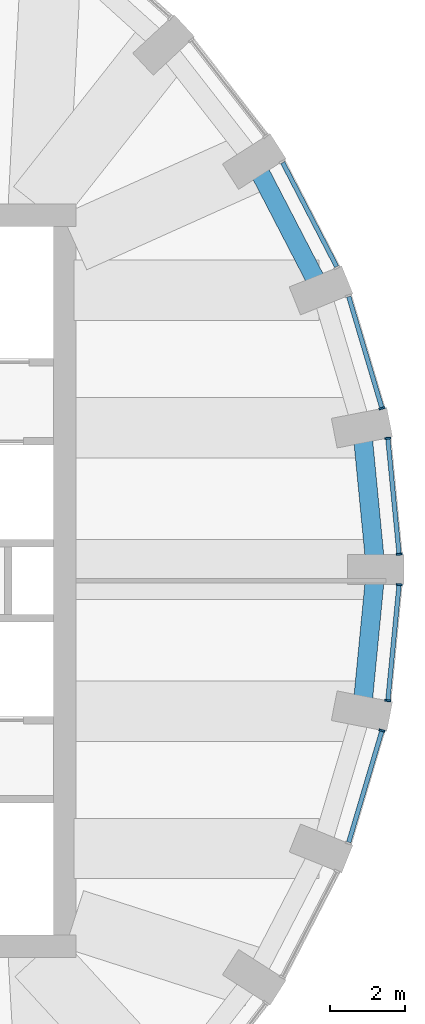
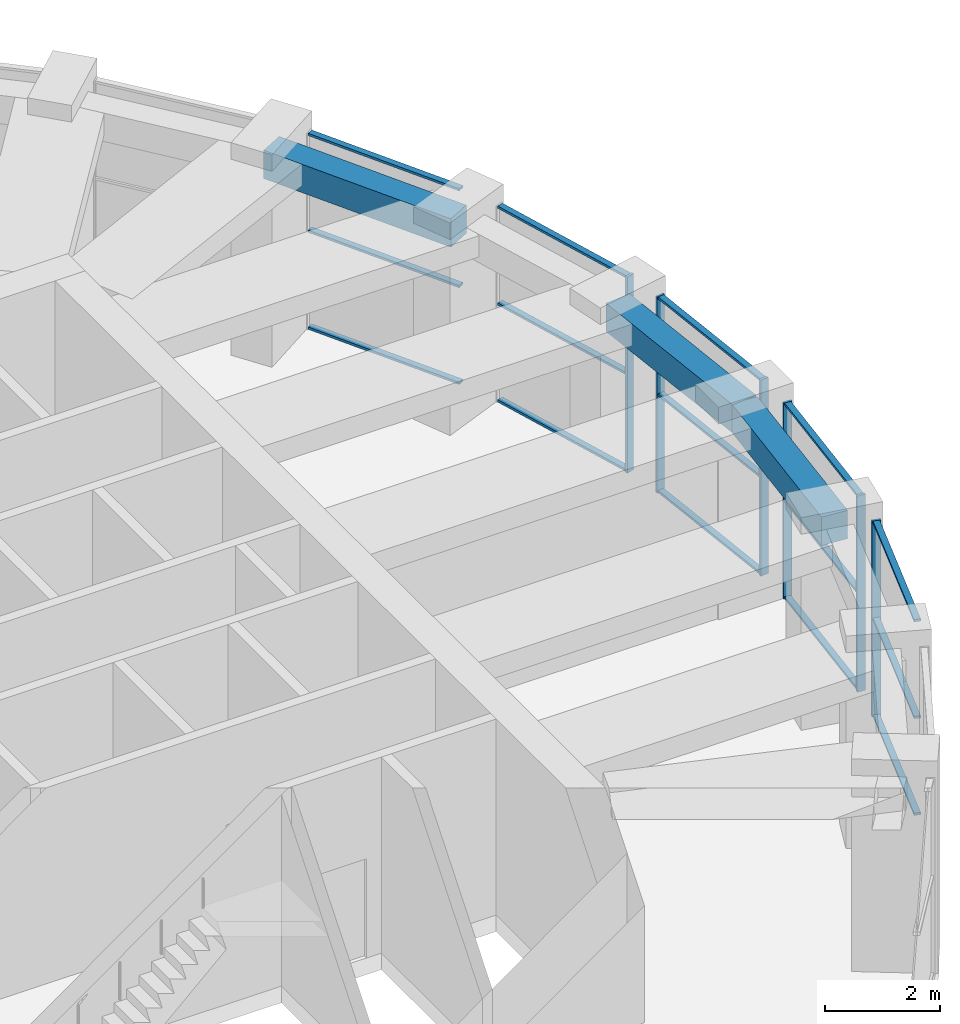
# One storey, part 7 of 17: 21 members, 3 beams, 5 elements without a shape of their own.
"""IFC4 building model written with IfcOpenShell, lengths in metres."""

from ifc_helpers import new_model, si_unit, direction, frame, origin, origin_2d, place, context, subcontext, project, spatial, rectangle, extrude, material, material_profile, profile_set, type_object, element, aggregate, save


model = new_model("IFC4")

# Units and contexts
model_context = context("Model", 3, precision=1e-05, world=origin(), true_north=direction((0.0, 1.0)))
body_context = subcontext(model_context, "Body", "Model", "MODEL_VIEW")
ifc_project = project(units=[si_unit("LENGTHUNIT", "METRE"), si_unit("AREAUNIT", "SQUARE_METRE"), si_unit("VOLUMEUNIT", "CUBIC_METRE"), si_unit("PLANEANGLEUNIT", "RADIAN"), si_unit("MASSUNIT", "GRAM", prefix="KILO")], contexts=[model_context])

# Site, building, storey
site_placement = place(None, origin())
site = spatial("IfcSite", under=ifc_project, at=site_placement, CompositionType="ELEMENT")
building_placement = place(site_placement, origin())
building = spatial("IfcBuilding", under=site, at=building_placement, Name="Taillehof Tower", CompositionType="ELEMENT")
storey_placement = place(building_placement, frame((0.0, 0.0, 259.699951171875)))
storey = spatial("IfcBuildingStorey", under=building, at=storey_placement, Name="L74", CompositionType="ELEMENT", Elevation=259.699951171875)

# Curtain wall, members
ifc_material_1 = material(Name="Aluminium curtain wall with Clear low-emissivity double glazing", Category="aluminium")
curtain_wall_type = type_object("IfcCurtainWallType", Name="Club lounge curtain wall", PredefinedType="USERDEFINED", material=ifc_material_1)
curtain_wall_1_placement = place(storey_placement, origin())
curtain_wall_1 = element("IfcCurtainWall", 1, at=curtain_wall_1_placement, inside=storey, type_object=curtain_wall_type, Name="Club lounge L74 bay 1", ObjectType="WINDOW WALL", PredefinedType="USERDEFINED")
ifc_material_2 = material(Name="Aluminium mullion", Category="aluminium")
ifc_material_profile_1 = material_profile(ifc_material_2, rectangle(XDim=0.159912109375, YDim=0.050048828125, at=origin_2d()), Name="AL 50x160")
ifc_profile_set_1 = profile_set([ifc_material_profile_1], Name="Aluminium mullion")
member_type_1 = type_object("IfcMemberType", Name="Club lounge mullion 50x160", PredefinedType="MULLION", material=ifc_profile_set_1)
member_1_placement = place(storey_placement, frame((24.5703125, 0.705078125, 0.0), z_axis=(0.0, 0.0, 1.0), x_axis=(-0.995312250248, -0.0967136211, 0.0)))
member_1 = element("IfcMember", 2, at=member_1_placement, type_object=member_type_1, Name="CT4E01 mullion 1", PredefinedType="MULLION", context=body_context, shape_type="SweptSolid", body=[
    extrude(rectangle(XDim=0.159912109375, YDim=0.050048828125, at=origin_2d()), origin(), (0.0, 0.0, 1.0), 4.150146484375),
])
member_2_placement = place(storey_placement, frame((24.271240234375, 3.781005859375, 0.0), z_axis=(0.0, 0.0, 1.0), x_axis=(-0.995312250248, -0.0967136211, 0.0)))
member_2 = element("IfcMember", 3, at=member_2_placement, type_object=member_type_1, Name="CT4E01 mullion 2", PredefinedType="MULLION", context=body_context, shape_type="SweptSolid", body=[
    extrude(rectangle(XDim=0.159912109375, YDim=0.050048828125, at=origin_2d()), origin(), (0.0, 0.0, 1.0), 4.150146484375),
])

# Curtain wall, member
curtain_wall_2_placement = place(storey_placement, origin())
curtain_wall_2 = element("IfcCurtainWall", 4, at=curtain_wall_2_placement, inside=storey, type_object=curtain_wall_type, Name="Club lounge L74 bay 2", ObjectType="WINDOW WALL", PredefinedType="USERDEFINED")
member_3_placement = place(storey_placement, frame((24.115966796875, 4.575927734375, 0.0), z_axis=(0.0, 0.0, 1.0), x_axis=(-0.958457446134, -0.285235558707, 0.0)))
member_3 = element("IfcMember", 5, at=member_3_placement, type_object=member_type_1, Name="CT4E02 mullion 1", PredefinedType="MULLION", context=body_context, shape_type="SweptSolid", body=[
    extrude(rectangle(XDim=0.159912109375, YDim=0.050048828125, at=origin_2d()), origin(), (0.0, 0.0, 1.0), 4.150146484375),
])

curtain_wall_3_placement = place(storey_placement, origin())
curtain_wall_3 = element("IfcCurtainWall", 6, at=curtain_wall_3_placement, inside=storey, type_object=curtain_wall_type, Name="Club lounge L74 bay 35", ObjectType="WINDOW WALL", PredefinedType="USERDEFINED")
member_4_placement = place(storey_placement, frame((24.115966796875, -3.975830078125, 0.0), z_axis=(0.0, 0.0, 1.0), x_axis=(-0.958457446134, 0.285235558707, 0.0)))
member_4 = element("IfcMember", 7, at=member_4_placement, type_object=member_type_1, Name="CT4E35 mullion 2", PredefinedType="MULLION", context=body_context, shape_type="SweptSolid", body=[
    extrude(rectangle(XDim=0.159912109375, YDim=0.050048828125, at=origin_2d()), origin(), (0.0, 0.0, 1.0), 4.150146484375),
])

# Curtain wall, members
curtain_wall_4_placement = place(storey_placement, origin())
curtain_wall_4 = element("IfcCurtainWall", 8, at=curtain_wall_4_placement, inside=storey, type_object=curtain_wall_type, Name="Club lounge L74 bay 36", ObjectType="WINDOW WALL", PredefinedType="USERDEFINED")
member_5_placement = place(storey_placement, frame((24.271240234375, -3.180908203125, 0.0), z_axis=(0.0, 0.0, 1.0), x_axis=(-0.995312250248, 0.0967136211, 0.0)))
member_5 = element("IfcMember", 9, at=member_5_placement, type_object=member_type_1, Name="CT4E36 mullion 1", PredefinedType="MULLION", context=body_context, shape_type="SweptSolid", body=[
    extrude(rectangle(XDim=0.159912109375, YDim=0.050048828125, at=origin_2d()), origin(), (0.0, 0.0, 1.0), 4.150146484375),
])
member_6_placement = place(storey_placement, frame((24.5703125, -0.10498046875, 0.0), z_axis=(0.0, 0.0, 1.0), x_axis=(-0.995312250248, 0.0967136211, 0.0)))
member_6 = element("IfcMember", 10, at=member_6_placement, type_object=member_type_1, Name="CT4E36 mullion 2", PredefinedType="MULLION", context=body_context, shape_type="SweptSolid", body=[
    extrude(rectangle(XDim=0.159912109375, YDim=0.050048828125, at=origin_2d()), origin(), (0.0, 0.0, 1.0), 4.150146484375),
])

# Member
ifc_material_3 = material(Name="Aluminium transom", Category="aluminium")
ifc_material_profile_2 = material_profile(ifc_material_3, rectangle(XDim=0.1201171875, YDim=0.050048828125, at=origin_2d()), Name="AL 120x50")
ifc_profile_set_2 = profile_set([ifc_material_profile_2], Name="Aluminium transom")
member_type_2 = type_object("IfcMemberType", Name="Club lounge transom 120x50", PredefinedType="USERDEFINED", material=ifc_profile_set_2)
member_7_placement = place(storey_placement, frame((24.56787109375, 0.72998046875, 0.025146484375), z_axis=(-0.096760449946, 0.995307698818, 0.0), x_axis=(-0.995307698818, -0.096760449946, 0.0)))
member_7 = element("IfcMember", 11, at=member_7_placement, type_object=member_type_2, Name="CT4E01 transom 1.1", ObjectType="TRANSOM", PredefinedType="USERDEFINED", context=body_context, shape_type="SweptSolid", body=[
    extrude(rectangle(XDim=0.1201171875, YDim=0.050048828125, at=origin_2d()), origin(), (0.0, 0.0, 1.0), 3.040283203125),
])

member_8_placement = place(storey_placement, frame((24.56787109375, 0.72998046875, 2.074951171875), z_axis=(-0.096760449946, 0.995307698818, 0.0), x_axis=(-0.995307698818, -0.096760449946, 0.0)))
member_8 = element("IfcMember", 12, at=member_8_placement, type_object=member_type_2, Name="CT4E01 transom 1.2", ObjectType="TRANSOM", PredefinedType="USERDEFINED", context=body_context, shape_type="SweptSolid", body=[
    extrude(rectangle(XDim=0.1201171875, YDim=0.050048828125, at=origin_2d()), origin(), (0.0, 0.0, 1.0), 3.040283203125),
])

member_9_placement = place(storey_placement, frame((24.56787109375, 0.72998046875, 4.125), z_axis=(-0.096760449946, 0.995307698818, 0.0), x_axis=(-0.995307698818, -0.096760449946, 0.0)))
member_9 = element("IfcMember", 13, at=member_9_placement, type_object=member_type_2, Name="CT4E01 transom 1.3", ObjectType="TRANSOM", PredefinedType="USERDEFINED", context=body_context, shape_type="SweptSolid", body=[
    extrude(rectangle(XDim=0.1201171875, YDim=0.050048828125, at=origin_2d()), origin(), (0.0, 0.0, 1.0), 3.040283203125),
])

aggregate(curtain_wall_1, [member_1, member_2, member_7, member_8, member_9])

member_10_placement = place(storey_placement, frame((24.10888671875, 4.599853515625, 0.025146484375), z_axis=(-0.285257079378, 0.95845104135, 0.0), x_axis=(-0.95845104135, -0.285257079378, 0.0)))
member_10 = element("IfcMember", 14, at=member_10_placement, type_object=member_type_2, Name="CT4E02 transom 1.1", ObjectType="TRANSOM", PredefinedType="USERDEFINED", context=body_context, shape_type="SweptSolid", body=[
    extrude(rectangle(XDim=0.1201171875, YDim=0.050048828125, at=origin_2d()), origin(), (0.0, 0.0, 1.0), 3.06494140625),
])

member_11_placement = place(storey_placement, frame((24.10888671875, 4.599853515625, 2.074951171875), z_axis=(-0.285257079378, 0.95845104135, 0.0), x_axis=(-0.95845104135, -0.285257079378, 0.0)))
member_11 = element("IfcMember", 15, at=member_11_placement, type_object=member_type_2, Name="CT4E02 transom 1.2", ObjectType="TRANSOM", PredefinedType="USERDEFINED", context=body_context, shape_type="SweptSolid", body=[
    extrude(rectangle(XDim=0.1201171875, YDim=0.050048828125, at=origin_2d()), origin(), (0.0, 0.0, 1.0), 3.06494140625),
])

member_12_placement = place(storey_placement, frame((24.10888671875, 4.599853515625, 4.125), z_axis=(-0.285257079378, 0.95845104135, 0.0), x_axis=(-0.95845104135, -0.285257079378, 0.0)))
member_12 = element("IfcMember", 16, at=member_12_placement, type_object=member_type_2, Name="CT4E02 transom 1.3", ObjectType="TRANSOM", PredefinedType="USERDEFINED", context=body_context, shape_type="SweptSolid", body=[
    extrude(rectangle(XDim=0.1201171875, YDim=0.050048828125, at=origin_2d()), origin(), (0.0, 0.0, 1.0), 3.06494140625),
])

aggregate(curtain_wall_2, [member_3, member_10, member_11, member_12])

# Curtain wall, members
curtain_wall_5_placement = place(storey_placement, origin())
curtain_wall_5 = element("IfcCurtainWall", 17, at=curtain_wall_5_placement, inside=storey, type_object=curtain_wall_type, Name="Club lounge L74 bay 3", ObjectType="WINDOW WALL", PredefinedType="USERDEFINED")
member_13_placement = place(storey_placement, frame((22.912841796875, 8.334716796875, 0.025146484375), z_axis=(-0.459913923369, 0.887963503243, 0.0), x_axis=(-0.887963503243, -0.459913923369, 0.0)))
member_13 = element("IfcMember", 18, at=member_13_placement, type_object=member_type_2, Name="CT4E03 transom 1.1", ObjectType="TRANSOM", PredefinedType="USERDEFINED", context=body_context, shape_type="SweptSolid", body=[
    extrude(rectangle(XDim=0.1201171875, YDim=0.050048828125, at=origin_2d()), origin(), (0.0, 0.0, 1.0), 3.11083984375),
])
member_14_placement = place(storey_placement, frame((22.912841796875, 8.334716796875, 2.074951171875), z_axis=(-0.459913923369, 0.887963503243, 0.0), x_axis=(-0.887963503243, -0.459913923369, 0.0)))
member_14 = element("IfcMember", 19, at=member_14_placement, type_object=member_type_2, Name="CT4E03 transom 1.2", ObjectType="TRANSOM", PredefinedType="USERDEFINED", context=body_context, shape_type="SweptSolid", body=[
    extrude(rectangle(XDim=0.1201171875, YDim=0.050048828125, at=origin_2d()), origin(), (0.0, 0.0, 1.0), 3.11083984375),
])
member_15_placement = place(storey_placement, frame((22.912841796875, 8.334716796875, 4.125), z_axis=(-0.459913923369, 0.887963503243, 0.0), x_axis=(-0.887963503243, -0.459913923369, 0.0)))
member_15 = element("IfcMember", 20, at=member_15_placement, type_object=member_type_2, Name="CT4E03 transom 1.3", ObjectType="TRANSOM", PredefinedType="USERDEFINED", context=body_context, shape_type="SweptSolid", body=[
    extrude(rectangle(XDim=0.1201171875, YDim=0.050048828125, at=origin_2d()), origin(), (0.0, 0.0, 1.0), 3.11083984375),
])
aggregate(curtain_wall_5, [member_13, member_14, member_15])

# Member
member_16_placement = place(storey_placement, frame((23.234619140625, -6.9375, 0.025146484375), z_axis=(0.28523530194, 0.958457522547, 0.0), x_axis=(-0.958457522547, 0.28523530194, 0.0)))
member_16 = element("IfcMember", 21, at=member_16_placement, type_object=member_type_2, Name="CT4E35 transom 1.1", ObjectType="TRANSOM", PredefinedType="USERDEFINED", context=body_context, shape_type="SweptSolid", body=[
    extrude(rectangle(XDim=0.1201171875, YDim=0.050048828125, at=origin_2d()), origin(), (0.0, 0.0, 1.0), 3.065185546875),
])

member_17_placement = place(storey_placement, frame((23.234619140625, -6.9375, 2.074951171875), z_axis=(0.28523530194, 0.958457522547, 0.0), x_axis=(-0.958457522547, 0.28523530194, 0.0)))
member_17 = element("IfcMember", 22, at=member_17_placement, type_object=member_type_2, Name="CT4E35 transom 1.2", ObjectType="TRANSOM", PredefinedType="USERDEFINED", context=body_context, shape_type="SweptSolid", body=[
    extrude(rectangle(XDim=0.1201171875, YDim=0.050048828125, at=origin_2d()), origin(), (0.0, 0.0, 1.0), 3.065185546875),
])

member_18_placement = place(storey_placement, frame((23.234619140625, -6.9375, 4.125), z_axis=(0.28523530194, 0.958457522547, 0.0), x_axis=(-0.958457522547, 0.28523530194, 0.0)))
member_18 = element("IfcMember", 23, at=member_18_placement, type_object=member_type_2, Name="CT4E35 transom 1.3", ObjectType="TRANSOM", PredefinedType="USERDEFINED", context=body_context, shape_type="SweptSolid", body=[
    extrude(rectangle(XDim=0.1201171875, YDim=0.050048828125, at=origin_2d()), origin(), (0.0, 0.0, 1.0), 3.065185546875),
])

aggregate(curtain_wall_3, [member_4, member_16, member_17, member_18])

member_19_placement = place(storey_placement, frame((24.273681640625, -3.156005859375, 0.025146484375), z_axis=(0.096760449946, 0.995307698818, 0.0), x_axis=(-0.995307698818, 0.096760449946, 0.0)))
member_19 = element("IfcMember", 24, at=member_19_placement, type_object=member_type_2, Name="CT4E36 transom 1.1", ObjectType="TRANSOM", PredefinedType="USERDEFINED", context=body_context, shape_type="SweptSolid", body=[
    extrude(rectangle(XDim=0.1201171875, YDim=0.050048828125, at=origin_2d()), origin(), (0.0, 0.0, 1.0), 3.040283203125),
])

member_20_placement = place(storey_placement, frame((24.273681640625, -3.156005859375, 2.074951171875), z_axis=(0.096760449946, 0.995307698818, 0.0), x_axis=(-0.995307698818, 0.096760449946, 0.0)))
member_20 = element("IfcMember", 25, at=member_20_placement, type_object=member_type_2, Name="CT4E36 transom 1.2", ObjectType="TRANSOM", PredefinedType="USERDEFINED", context=body_context, shape_type="SweptSolid", body=[
    extrude(rectangle(XDim=0.1201171875, YDim=0.050048828125, at=origin_2d()), origin(), (0.0, 0.0, 1.0), 3.040283203125),
])

member_21_placement = place(storey_placement, frame((24.273681640625, -3.156005859375, 4.125), z_axis=(0.096760449946, 0.995307698818, 0.0), x_axis=(-0.995307698818, 0.096760449946, 0.0)))
member_21 = element("IfcMember", 26, at=member_21_placement, type_object=member_type_2, Name="CT4E36 transom 1.3", ObjectType="TRANSOM", PredefinedType="USERDEFINED", context=body_context, shape_type="SweptSolid", body=[
    extrude(rectangle(XDim=0.1201171875, YDim=0.050048828125, at=origin_2d()), origin(), (0.0, 0.0, 1.0), 3.040283203125),
])

aggregate(curtain_wall_4, [member_5, member_6, member_19, member_20, member_21])

# Beams
ifc_material_4 = material(Name="Concrete C50/60", Category="concrete")
ifc_material_profile_3 = material_profile(ifc_material_4, rectangle(XDim=0.5, YDim=0.60009765625, at=origin_2d()), Name="RC 500x600")
ifc_profile_set_3 = profile_set([ifc_material_profile_3], Name="Concrete C50/60")
beam_type = type_object("IfcBeamType", Name="Spandrel beam C50/60 500x600", PredefinedType="SPANDREL", material=ifc_profile_set_3)
beam_1_placement = place(storey_placement, frame((23.949951171875, 0.300048828125, 3.85009765625), z_axis=(-0.096693940319, 0.995314162416, 0.0), x_axis=(-0.995314162416, -0.096693940319, 0.0)))
element("IfcBeam", 27, at=beam_1_placement, inside=storey, type_object=beam_type, Name="Spandrel beam SB01", PredefinedType="SPANDREL", context=body_context, shape_type="SweptSolid", body=[
    extrude(rectangle(XDim=0.5, YDim=0.60009765625, at=origin_2d()), origin(), (0.0, 0.0, 1.0), 3.777099609375),
])
beam_2_placement = place(storey_placement, frame((22.49951171875, 7.704833984375, 3.85009765625), z_axis=(-0.45992118545, 0.887959741865, 0.0), x_axis=(-0.887959741865, -0.45992118545, 0.0)))
element("IfcBeam", 28, at=beam_2_placement, inside=storey, type_object=beam_type, Name="Spandrel beam SB03", PredefinedType="SPANDREL", context=body_context, shape_type="SweptSolid", body=[
    extrude(rectangle(XDim=0.5, YDim=0.60009765625, at=origin_2d()), origin(), (0.0, 0.0, 1.0), 3.851806640625),
])
beam_3_placement = place(storey_placement, frame((23.584716796875, -3.45947265625, 3.85009765625), z_axis=(0.096693940319, 0.995314162416, 0.0), x_axis=(-0.995314162416, 0.096693940319, 0.0)))
element("IfcBeam", 29, at=beam_3_placement, inside=storey, type_object=beam_type, Name="Spandrel beam SB36", PredefinedType="SPANDREL", context=body_context, shape_type="SweptSolid", body=[
    extrude(rectangle(XDim=0.5, YDim=0.60009765625, at=origin_2d()), origin(), (0.0, 0.0, 1.0), 3.777099609375),
])

save(model, "model.ifc")
